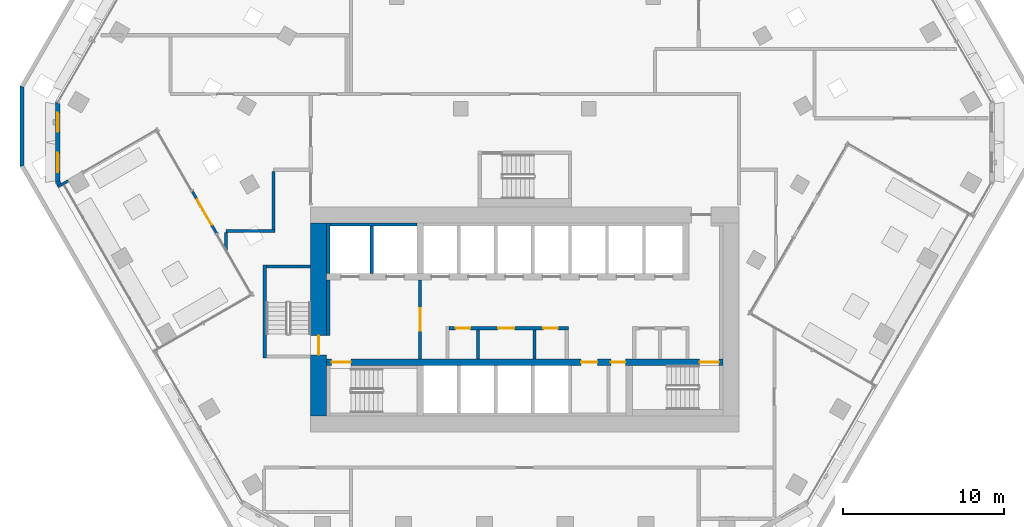
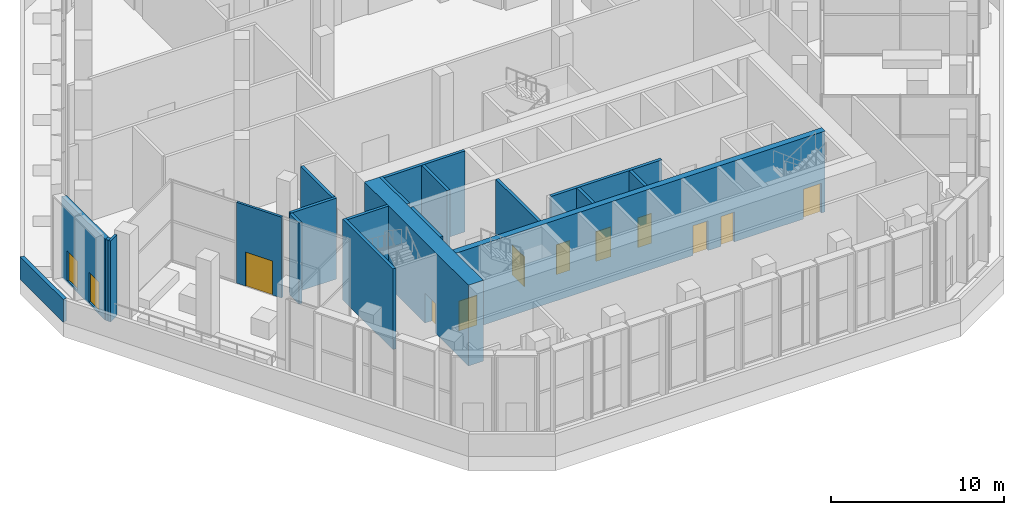
# One storey, part 9 of 23: 20 walls, 10 doors, 2 windows, 12 openings.
"""IFC4 building model written with IfcOpenShell, lengths in metres."""

from ifc_helpers import new_model, si_unit, direction, frame, frame_2d, origin, place, context, subcontext, project, spatial, polyline, rectangle, outline, extrude, material, layer, layer_set, type_object, element, fill, save


model = new_model("IFC4")

# Units and contexts
model_context = context("Model", 3, precision=1e-05, world=origin(), true_north=direction((0.0, 1.0)))
body_context = subcontext(model_context, "Body", "Model", "MODEL_VIEW")
ifc_project = project(units=[si_unit("LENGTHUNIT", "METRE"), si_unit("AREAUNIT", "SQUARE_METRE"), si_unit("VOLUMEUNIT", "CUBIC_METRE"), si_unit("PLANEANGLEUNIT", "RADIAN"), si_unit("MASSUNIT", "GRAM", prefix="KILO")], contexts=[model_context])

# Site, building, storey
site_placement = place(None, origin())
site = spatial("IfcSite", under=ifc_project, at=site_placement, CompositionType="ELEMENT")
building_placement = place(site_placement, origin())
building = spatial("IfcBuilding", under=site, at=building_placement, Name="Beryl Residences", CompositionType="ELEMENT")
storey_placement = place(building_placement, frame((0.0, 0.0, 66.0)))
storey = spatial("IfcBuildingStorey", under=building, at=storey_placement, Name="L20", CompositionType="ELEMENT", Elevation=66.0)

# Wall, openings, windows
ifc_material_1 = material(Name="Composite metal panel with mineral wool insulation")
ifc_layer_1 = layer(ifc_material_1, 0.300048828125)
ifc_layer_set_1 = layer_set([ifc_layer_1], Name="ES1 pale metal composite panel wall 300 mm")
wall_type_1 = type_object("IfcWallType", Name="ES1 pale metal composite panel wall 300 mm", PredefinedType="SOLIDWALL", material=ifc_layer_set_1)
wall_1_placement = place(storey_placement, frame((-29.007080078125, 1.5, 0.0), z_axis=(0.0, 0.0, 1.0), x_axis=(0.0, -1.0, 0.0)))
wall_1 = element("IfcWall", 1, at=wall_1_placement, inside=storey, type_object=wall_type_1, Name="ES1 external wall L20 NW-SW", PredefinedType="SOLIDWALL", context=body_context, shape_type="SweptSolid", body=[
    extrude(outline(polyline([(0.0, -0.14990234375), (5.0, -0.14990234375), (4.919677734375, 0.14990234375), (0.080322265625, 0.14990234375), (0.0, -0.14990234375)])), origin(), (0.0, 0.0, 1.0), 5.699951171875),
])
opening_1_placement = place(wall_1_placement, frame((0.64990234375, 0.0, 0.14990234375)))
opening_1 = element("IfcOpeningElement", 2, at=opening_1_placement, cuts=wall_1, Name="Opening W2", PredefinedType="OPENING", context=body_context, shape_type="SweptSolid", body=[
    extrude(rectangle(XDim=1.199951171875, YDim=2.10009765625, at=frame_2d((0.60009765625, 1.050048828125))), frame((0.0, 0.159912109375, 0.0), z_axis=(0.0, -1.0, 0.0), x_axis=(1.0, 0.0, 0.0)), (0.0, 0.0, 1.0), 0.320068359375),
])
opening_2_placement = place(wall_1_placement, frame((3.14990234375, 0.0, 0.14990234375)))
opening_2 = element("IfcOpeningElement", 3, at=opening_2_placement, cuts=wall_1, Name="Opening W2", PredefinedType="OPENING", context=body_context, shape_type="SweptSolid", body=[
    extrude(rectangle(XDim=1.199951171875, YDim=2.10009765625, at=frame_2d((0.60009765625, 1.050048828125))), frame((0.0, 0.159912109375, 0.0), z_axis=(0.0, -1.0, 0.0), x_axis=(1.0, 0.0, 0.0)), (0.0, 0.0, 1.0), 0.320068359375),
])
ifc_material_2 = material(Name="Aluminium and clear glass", Category="aluminium")
window_type = type_object("IfcWindowType", Name="W2 chamfer window 1200 x 2100 mm", PartitioningType="SINGLE_PANEL", PredefinedType="WINDOW", material=ifc_material_2)
window_1_placement = place(opening_1_placement, origin())
window_1 = element("IfcWindow", 4, at=window_1_placement, inside=storey, type_object=window_type, Name="W2 window L20 NW-SW 1", OverallHeight=2.10009765625, OverallWidth=1.199951171875, PartitioningType="SINGLE_PANEL", PredefinedType="WINDOW", context=body_context, shape_type="SweptSolid", body=[
    extrude(rectangle(XDim=1.199951171875, YDim=2.10009765625, at=frame_2d((0.60009765625, 1.050048828125))), frame((0.0, 0.030029296875, 0.0), z_axis=(0.0, -1.0, 0.0), x_axis=(1.0, 0.0, 0.0)), (0.0, 0.0, 1.0), 0.06005859375),
])
fill(opening_1, window_1)
window_2_placement = place(opening_2_placement, origin())
window_2 = element("IfcWindow", 5, at=window_2_placement, inside=storey, type_object=window_type, Name="W2 window L20 NW-SW 2", OverallHeight=2.10009765625, OverallWidth=1.199951171875, PartitioningType="SINGLE_PANEL", PredefinedType="WINDOW", context=body_context, shape_type="SweptSolid", body=[
    extrude(rectangle(XDim=1.199951171875, YDim=2.10009765625, at=frame_2d((0.60009765625, 1.050048828125))), frame((0.0, 0.030029296875, 0.0), z_axis=(0.0, -1.0, 0.0), x_axis=(1.0, 0.0, 0.0)), (0.0, 0.0, 1.0), 0.06005859375),
])
fill(opening_2, window_2)

# Wall
wall_2_placement = place(storey_placement, frame((-29.007080078125, -3.4599609375, 0.0), z_axis=(0.0, 0.0, 1.0), x_axis=(0.505106950785, -0.863056758428, 0.0)))
element("IfcWall", 6, at=wall_2_placement, inside=storey, type_object=wall_type_1, Name="ES1 external wall L20 SW pier", PredefinedType="SOLIDWALL", context=body_context, shape_type="SweptSolid", body=[
    extrude(rectangle(XDim=0.18408203125, YDim=0.300048828125, at=frame_2d((0.092041015625, 0.0))), origin(), (0.0, 0.0, 1.0), 5.699951171875),
])

# Wall, opening, door
ifc_material_3 = material(Name="Aluminium framed insulated wall", Category="aluminium")
ifc_layer_2 = layer(ifc_material_3, 0.14990234375)
ifc_layer_set_2 = layer_set([ifc_layer_2], Name="GW1 glazed door wall 150 mm")
wall_type_2 = type_object("IfcWallType", Name="GW1 glazed door wall 150 mm", PredefinedType="SOLIDWALL", material=ifc_layer_set_2)
wall_3_placement = place(storey_placement, frame((-20.64697265625, -4.0400390625, 0.0), z_axis=(0.0, 0.0, 1.0), x_axis=(0.50002537861, -0.866010750942, 0.0)))
wall_3 = element("IfcWall", 7, at=wall_3_placement, inside=storey, type_object=wall_type_2, Name="GW1 door wall L20 SW", PredefinedType="SOLIDWALL", context=body_context, shape_type="SweptSolid", body=[
    extrude(rectangle(XDim=2.999755859375, YDim=0.14990234375, at=frame_2d((1.5, 0.0))), origin(), (0.0, 0.0, 1.0), 5.699951171875),
])
opening_3_placement = place(wall_3_placement, frame((0.60009765625, 0.0, 0.0)))
opening_3 = element("IfcOpeningElement", 8, at=opening_3_placement, cuts=wall_3, Name="Opening SD3", PredefinedType="OPENING", context=body_context, shape_type="SweptSolid", body=[
    extrude(rectangle(XDim=1.800048828125, YDim=2.39990234375, at=frame_2d((0.89990234375, 1.199951171875))), frame((0.0, 0.0849609375, 0.0), z_axis=(0.0, -1.0, 0.0), x_axis=(1.0, 0.0, 0.0)), (0.0, 0.0, 1.0), 0.169921875),
])
ifc_material_4 = material(Name="Aluminium and clear glass", Category="aluminium")
door_type_1 = type_object("IfcDoorType", Name="SD3 sliding glass door 1800 x 2400 mm", OperationType="SLIDING_TO_LEFT", PredefinedType="DOOR", material=ifc_material_4)
door_1_placement = place(opening_3_placement, origin())
door_1 = element("IfcDoor", 9, at=door_1_placement, inside=storey, type_object=door_type_1, Name="SD3 garden door L20 SW", OperationType="SLIDING_TO_LEFT", OverallHeight=2.39990234375, OverallWidth=1.800048828125, PredefinedType="DOOR", context=body_context, shape_type="SweptSolid", body=[
    extrude(rectangle(XDim=1.800048828125, YDim=2.39990234375, at=frame_2d((0.89990234375, 1.199951171875))), frame((0.0, 0.02490234375, 0.0), z_axis=(0.0, -1.0, 0.0), x_axis=(1.0, 0.0, 0.0)), (0.0, 0.0, 1.0), 0.050048828125),
])
fill(opening_3, door_1)

# Walls
wall_4_placement = place(storey_placement, frame((-29.007080078125, -3.759033203125, 0.0), z_axis=(0.0, 0.0, 1.0), x_axis=(0.866218334262, 0.499665685623, 0.0)))
element("IfcWall", 10, at=wall_4_placement, inside=storey, type_object=wall_type_2, Name="GW1 garden pier wall L20", PredefinedType="SOLIDWALL", context=body_context, shape_type="SweptSolid", body=[
    extrude(rectangle(XDim=0.74462890625, YDim=0.14990234375, at=frame_2d((0.372314453125, 0.0))), origin(), (0.0, 0.0, 1.0), 5.699951171875),
])
ifc_material_5 = material(Name="Precast concrete C40/50", Category="concrete")
ifc_layer_3 = layer(ifc_material_5, 0.25)
ifc_layer_set_3 = layer_set([ifc_layer_3], Name="PA1 roof parapet 250 mm")
wall_type_3 = type_object("IfcWallType", Name="PA1 roof parapet 250 mm", PredefinedType="PARAPET", material=ifc_layer_set_3)
wall_5_placement = place(storey_placement, frame((-31.22509765625, -2.5, 0.0), z_axis=(0.0, 0.0, 1.0), x_axis=(0.0, 1.0, 0.0)))
element("IfcWall", 11, at=wall_5_placement, inside=storey, type_object=wall_type_3, Name="PA1 parapet L20 strip 9", PredefinedType="PARAPET", context=body_context, shape_type="SweptSolid", body=[
    extrude(outline(polyline([(0.06689453125, -0.125), (4.93310546875, -0.125), (5.0, 0.125), (0.0, 0.125), (0.06689453125, -0.125)])), origin(), (0.0, 0.0, 1.0), 1.60009765625),
])
ifc_material_6 = material(Name="Concrete masonry", Category="masonry")
ifc_layer_4 = layer(ifc_material_6, 0.199951171875)
ifc_layer_set_4 = layer_set([ifc_layer_4], Name="PT13 lobby wall 200 mm")
wall_type_4 = type_object("IfcWallType", Name="PT13 lobby wall 200 mm", PredefinedType="PARTITIONING", material=ifc_layer_set_4)
wall_6_placement = place(storey_placement, frame((-12.199951171875, -13.0, 0.0), z_axis=(0.0, 0.0, 1.0), x_axis=(0.0, 1.0, 0.0)))
element("IfcWall", 12, at=wall_6_placement, inside=storey, type_object=wall_type_4, Name="Lobby wall 05", PredefinedType="PARTITIONING", context=body_context, shape_type="SweptSolid", body=[
    extrude(rectangle(XDim=3.449951171875, YDim=0.199951171875, at=frame_2d((1.72509765625, 0.0))), origin(), (0.0, 0.0, 1.0), 5.699951171875),
])

# Wall, opening, door
wall_7_placement = place(storey_placement, frame((-6.5, -14.449951171875, 0.0), z_axis=(0.0, 0.0, 1.0), x_axis=(0.0, 1.0, 0.0)))
wall_7 = element("IfcWall", 13, at=wall_7_placement, inside=storey, type_object=wall_type_4, Name="Lobby wall 11", PredefinedType="PARTITIONING", context=body_context, shape_type="SweptSolid", body=[
    extrude(rectangle(XDim=4.89990234375, YDim=0.199951171875, at=frame_2d((2.449951171875, 0.0))), origin(), (0.0, 0.0, 1.0), 5.699951171875),
])
opening_4_placement = place(wall_7_placement, frame((3.14990234375, 0.0, 0.0), z_axis=(0.0, 0.0, 1.0), x_axis=(-1.0, 0.0, 0.0)))
opening_4 = element("IfcOpeningElement", 14, at=opening_4_placement, cuts=wall_7, Name="Opening FD-FFL", PredefinedType="OPENING", context=body_context, shape_type="SweptSolid", body=[
    extrude(rectangle(XDim=1.39990234375, YDim=2.10009765625, at=frame_2d((0.699951171875, 1.050048828125))), frame((0.0, 0.10986328125, 0.0), z_axis=(0.0, -1.0, 0.0), x_axis=(1.0, 0.0, 0.0)), (0.0, 0.0, 1.0), 0.219970703125),
])
ifc_material_7 = material(Name="Steel door leaf in steel frame", Category="steel")
door_type_2 = type_object("IfcDoorType", Name="D5 lobby door 1400 x 2100 mm", OperationType="DOUBLE_DOOR_SINGLE_SWING", PredefinedType="DOOR", material=ifc_material_7)
door_2_placement = place(opening_4_placement, origin())
door_2 = element("IfcDoor", 15, at=door_2_placement, inside=storey, type_object=door_type_2, Name="Door FD-FFL L20 001", OperationType="DOUBLE_DOOR_SINGLE_SWING", OverallHeight=2.10009765625, OverallWidth=1.39990234375, PredefinedType="DOOR", context=body_context, shape_type="SweptSolid", body=[
    extrude(rectangle(XDim=1.39990234375, YDim=2.10009765625, at=frame_2d((0.699951171875, 1.050048828125))), frame((0.0, 0.02490234375, 0.0), z_axis=(0.0, -1.0, 0.0), x_axis=(1.0, 0.0, 0.0)), (0.0, 0.0, 1.0), 0.050048828125),
])
fill(opening_4, door_2)

# Wall, openings, doors
wall_8_placement = place(storey_placement, frame((-4.699951171875, -12.550048828125, 0.0), z_axis=(0.0, 0.0, 1.0), x_axis=(1.0, 0.0, 0.0)))
wall_8 = element("IfcWall", 16, at=wall_8_placement, inside=storey, type_object=wall_type_4, Name="Lobby wall 15", PredefinedType="PARTITIONING", context=body_context, shape_type="SweptSolid", body=[
    extrude(rectangle(XDim=7.39990234375, YDim=0.199951171875, at=frame_2d((3.699951171875, 0.0))), origin(), (0.0, 0.0, 1.0), 5.699951171875),
])
opening_5_placement = place(wall_8_placement, frame((1.2998046875, 0.0, 0.0), z_axis=(0.0, 0.0, 1.0), x_axis=(-1.0, 0.0, 0.0)))
opening_5 = element("IfcOpeningElement", 17, at=opening_5_placement, cuts=wall_8, Name="Opening CD-D-A1-900", PredefinedType="OPENING", context=body_context, shape_type="SweptSolid", body=[
    extrude(rectangle(XDim=0.89990234375, YDim=2.10009765625, at=frame_2d((0.449951171875, 1.050048828125))), frame((0.0, 0.10986328125, 0.0), z_axis=(0.0, -1.0, 0.0), x_axis=(1.0, 0.0, 0.0)), (0.0, 0.0, 1.0), 0.219970703125),
])
opening_6_placement = place(wall_8_placement, frame((4.050048828125, 0.0, 0.0), z_axis=(0.0, 0.0, 1.0), x_axis=(-1.0, 0.0, 0.0)))
opening_6 = element("IfcOpeningElement", 18, at=opening_6_placement, cuts=wall_8, Name="Opening CD-D-A2", PredefinedType="OPENING", context=body_context, shape_type="SweptSolid", body=[
    extrude(rectangle(XDim=1.0, YDim=2.10009765625, at=frame_2d((0.5, 1.050048828125))), frame((0.0, 0.10986328125, 0.0), z_axis=(0.0, -1.0, 0.0), x_axis=(1.0, 0.0, 0.0)), (0.0, 0.0, 1.0), 0.219970703125),
])
opening_7_placement = place(wall_8_placement, frame((6.75, 0.0, 0.0), z_axis=(0.0, 0.0, 1.0), x_axis=(-1.0, 0.0, 0.0)))
opening_7 = element("IfcOpeningElement", 19, at=opening_7_placement, cuts=wall_8, Name="Opening CD-D-A3-900", PredefinedType="OPENING", context=body_context, shape_type="SweptSolid", body=[
    extrude(rectangle(XDim=0.89990234375, YDim=2.10009765625, at=frame_2d((0.449951171875, 1.050048828125))), frame((0.0, 0.10986328125, 0.0), z_axis=(0.0, -1.0, 0.0), x_axis=(1.0, 0.0, 0.0)), (0.0, 0.0, 1.0), 0.219970703125),
])
ifc_material_8 = material(Name="Steel door leaf in steel frame", Category="steel")
door_type_3 = type_object("IfcDoorType", Name="D18 service room door 1000 x 2100 mm", OperationType="SINGLE_SWING_LEFT", PredefinedType="DOOR", material=ifc_material_8)
door_3_placement = place(opening_6_placement, origin())
door_3 = element("IfcDoor", 20, at=door_3_placement, inside=storey, type_object=door_type_3, Name="Door CD-D-A2 L20 001", OperationType="SINGLE_SWING_LEFT", OverallHeight=2.10009765625, OverallWidth=1.0, PredefinedType="DOOR", context=body_context, shape_type="SweptSolid", body=[
    extrude(rectangle(XDim=1.0, YDim=2.10009765625, at=frame_2d((0.5, 1.050048828125))), frame((0.0, 0.02490234375, 0.0), z_axis=(0.0, -1.0, 0.0), x_axis=(1.0, 0.0, 0.0)), (0.0, 0.0, 1.0), 0.050048828125),
])
fill(opening_6, door_3)
ifc_material_9 = material(Name="Steel door leaf in steel frame", Category="steel")
door_type_4 = type_object("IfcDoorType", Name="D6 service room door 900 x 2100 mm", OperationType="SINGLE_SWING_LEFT", PredefinedType="DOOR", material=ifc_material_9)
door_4_placement = place(opening_5_placement, origin())
door_4 = element("IfcDoor", 21, at=door_4_placement, inside=storey, type_object=door_type_4, Name="Door CD-D-A1-900 L20 001", OperationType="SINGLE_SWING_RIGHT", OverallHeight=2.10009765625, OverallWidth=0.89990234375, PredefinedType="DOOR", context=body_context, shape_type="SweptSolid", body=[
    extrude(rectangle(XDim=0.89990234375, YDim=2.10009765625, at=frame_2d((0.449951171875, 1.050048828125))), frame((0.0, 0.02490234375, 0.0), z_axis=(0.0, -1.0, 0.0), x_axis=(1.0, 0.0, 0.0)), (0.0, 0.0, 1.0), 0.050048828125),
])
fill(opening_5, door_4)
door_5_placement = place(opening_7_placement, origin())
door_5 = element("IfcDoor", 22, at=door_5_placement, inside=storey, type_object=door_type_4, Name="Door CD-D-A3-900 L20 001", OperationType="SINGLE_SWING_RIGHT", OverallHeight=2.10009765625, OverallWidth=0.89990234375, PredefinedType="DOOR", context=body_context, shape_type="SweptSolid", body=[
    extrude(rectangle(XDim=0.89990234375, YDim=2.10009765625, at=frame_2d((0.449951171875, 1.050048828125))), frame((0.0, 0.02490234375, 0.0), z_axis=(0.0, -1.0, 0.0), x_axis=(1.0, 0.0, 0.0)), (0.0, 0.0, 1.0), 0.050048828125),
])
fill(opening_7, door_5)

# Walls
ifc_material_10 = material(Name="Double stud gypsum board wall")
ifc_layer_5 = layer(ifc_material_10, 0.199951171875)
ifc_layer_set_5 = layer_set([ifc_layer_5], Name="PT4 corridor wall 200 mm double stud")
wall_type_5 = type_object("IfcWallType", Name="PT4 corridor wall 200 mm double stud", PredefinedType="PARTITIONING", material=ifc_layer_set_5)
wall_9_placement = place(storey_placement, frame((-18.550048828125, -6.5, 0.0), z_axis=(0.0, 0.0, 1.0), x_axis=(1.0, 0.0, 0.0)))
element("IfcWall", 23, at=wall_9_placement, inside=storey, type_object=wall_type_5, Name="Wall PT4 L20 002", PredefinedType="PARTITIONING", context=body_context, shape_type="SweptSolid", body=[
    extrude(rectangle(XDim=3.050048828125, YDim=0.199951171875, at=frame_2d((1.52490234375, 0.0))), origin(), (0.0, 0.0, 1.0), 5.699951171875),
])
wall_10_placement = place(storey_placement, frame((-18.550048828125, -7.7109375, 0.0), z_axis=(0.0, 0.0, 1.0), x_axis=(0.0, 1.0, 0.0)))
element("IfcWall", 24, at=wall_10_placement, inside=storey, type_object=wall_type_5, Name="Wall PT4 L20 014", PredefinedType="PARTITIONING", context=body_context, shape_type="SweptSolid", body=[
    extrude(rectangle(XDim=1.11083984375, YDim=0.199951171875, at=frame_2d((0.555419921875, 0.0))), origin(), (0.0, 0.0, 1.0), 5.699951171875),
])
wall_11_placement = place(storey_placement, frame((-15.60009765625, -6.39990234375, 0.0), z_axis=(0.0, 0.0, 1.0), x_axis=(0.0, 1.0, 0.0)))
element("IfcWall", 25, at=wall_11_placement, inside=storey, type_object=wall_type_5, Name="Wall PT4 L20 015", PredefinedType="PARTITIONING", context=body_context, shape_type="SweptSolid", body=[
    extrude(rectangle(XDim=3.599853515625, YDim=0.199951171875, at=frame_2d((1.7998046875, 0.0))), origin(), (0.0, 0.0, 1.0), 5.699951171875),
])
ifc_material_11 = material(Name="Concrete C40/50", Category="concrete")
ifc_layer_6 = layer(ifc_material_11, 0.199951171875)
ifc_layer_set_6 = layer_set([ifc_layer_6], Name="PT5 stair enclosure wall 200 mm reinforced concrete C40/50")
wall_type_6 = type_object("IfcWallType", Name="PT5 stair enclosure wall 200 mm reinforced concrete C40/50", PredefinedType="SOLIDWALL", material=ifc_layer_set_6)
wall_12_placement = place(storey_placement, frame((-16.14990234375, -14.39990234375, 0.0), z_axis=(0.0, 0.0, 1.0), x_axis=(0.0, 1.0, 0.0)))
element("IfcWall", 26, at=wall_12_placement, inside=storey, type_object=wall_type_6, Name="Stair wall 01", PredefinedType="SOLIDWALL", context=body_context, shape_type="SweptSolid", body=[
    extrude(rectangle(XDim=5.7998046875, YDim=0.199951171875, at=frame_2d((2.89990234375, 0.0))), origin(), (0.0, 0.0, 1.0), 5.699951171875),
])
wall_13_placement = place(storey_placement, frame((-16.050048828125, -8.699951171875, 0.0), z_axis=(0.0, 0.0, 1.0), x_axis=(1.0, 0.0, 0.0)))
element("IfcWall", 27, at=wall_13_placement, inside=storey, type_object=wall_type_6, Name="Stair wall 03", PredefinedType="SOLIDWALL", context=body_context, shape_type="SweptSolid", body=[
    extrude(rectangle(XDim=2.75, YDim=0.199951171875, at=frame_2d((1.375, 0.0))), origin(), (0.0, 0.0, 1.0), 5.699951171875),
])
ifc_material_12 = material(Name="Concrete C40/50", Category="concrete")
ifc_layer_7 = layer(ifc_material_12, 0.199951171875)
ifc_layer_set_7 = layer_set([ifc_layer_7], Name="PT6 lift shaft wall 200 mm reinforced concrete C40/50")
wall_type_7 = type_object("IfcWallType", Name="PT6 lift shaft wall 200 mm reinforced concrete C40/50", PredefinedType="SOLIDWALL", material=ifc_layer_set_7)
wall_14_placement = place(storey_placement, frame((-12.199951171875, -9.14990234375, 0.0), z_axis=(0.0, 0.0, 1.0), x_axis=(0.0, 1.0, 0.0)))
element("IfcWall", 28, at=wall_14_placement, inside=storey, type_object=wall_type_7, Name="Lift shaft wall 06", PredefinedType="SOLIDWALL", context=body_context, shape_type="SweptSolid", body=[
    extrude(rectangle(XDim=3.14990234375, YDim=0.199951171875, at=frame_2d((1.574951171875, 0.0))), origin(), (0.0, 0.0, 1.0), 5.699951171875),
])
wall_15_placement = place(storey_placement, frame((-12.10009765625, -6.10009765625, 0.0), z_axis=(0.0, 0.0, 1.0), x_axis=(1.0, 0.0, 0.0)))
element("IfcWall", 29, at=wall_15_placement, inside=storey, type_object=wall_type_7, Name="Lift shaft wall 08", PredefinedType="SOLIDWALL", context=body_context, shape_type="SweptSolid", body=[
    extrude(rectangle(XDim=5.400146484375, YDim=0.199951171875, at=frame_2d((2.7001953125, 0.0))), origin(), (0.0, 0.0, 1.0), 5.699951171875),
])
wall_16_placement = place(storey_placement, frame((-9.5, -9.14990234375, 0.0), z_axis=(0.0, 0.0, 1.0), x_axis=(0.0, 1.0, 0.0)))
element("IfcWall", 30, at=wall_16_placement, inside=storey, type_object=wall_type_7, Name="Lift shaft wall 10", PredefinedType="SOLIDWALL", context=body_context, shape_type="SweptSolid", body=[
    extrude(rectangle(XDim=2.949951171875, YDim=0.199951171875, at=frame_2d((1.47509765625, 0.0))), origin(), (0.0, 0.0, 1.0), 5.699951171875),
])
ifc_material_13 = material(Name="Concrete masonry", Category="masonry")
ifc_layer_8 = layer(ifc_material_13, 0.199951171875)
ifc_layer_set_8 = layer_set([ifc_layer_8], Name="PT8-200 service room wall 200 mm")
wall_type_8 = type_object("IfcWallType", Name="PT8-200 service room wall 200 mm", PredefinedType="PARTITIONING", material=ifc_layer_set_8)
for number, where, z_axis, x_axis, name in (
    (31, (-2.89990234375, -14.449951171875, 0.0), (0.0, 0.0, 1.0), (0.0, 1.0, 0.0), "Core room wall 18"),
    (32, (0.60009765625, -14.449951171875, 0.0), (0.0, 0.0, 1.0), (0.0, 1.0, 0.0), "Core room wall 23"),
):
    element("IfcWall", number, at=place(storey_placement, frame(where, z_axis=z_axis, x_axis=x_axis)), inside=storey, type_object=wall_type_8, Name=name, PredefinedType="PARTITIONING", context=body_context, shape_type="SweptSolid", body=[
        extrude(rectangle(XDim=1.800048828125, YDim=0.199951171875, at=frame_2d((0.89990234375, 0.0))), origin(), (0.0, 0.0, 1.0), 5.699951171875),
    ])

# Wall, opening, door
ifc_material_14 = material(Name="Concrete C70/85", Category="concrete")
ifc_layer_9 = layer(ifc_material_14, 1.0)
ifc_layer_set_9 = layer_set([ifc_layer_9], Name="SW2 core outer wall 1000 mm C70/85")
wall_type_9 = type_object("IfcWallType", Name="SW2 core outer wall 1000 mm C70/85", PredefinedType="SHEAR", material=ifc_layer_set_9)
wall_17_placement = place(storey_placement, frame((-12.800048828125, -18.0, 0.0), z_axis=(0.0, 0.0, 1.0), x_axis=(0.0, 1.0, 0.0)))
wall_17 = element("IfcWall", 33, at=wall_17_placement, inside=storey, type_object=wall_type_9, Name="Core wall W L20", PredefinedType="SHEAR", context=body_context, shape_type="SweptSolid", body=[
    extrude(rectangle(XDim=12.0, YDim=1.0, at=frame_2d((6.0, 0.0))), origin(), (0.0, 0.0, 1.0), 5.699951171875),
])
opening_8_placement = place(wall_17_placement, frame((3.800048828125, 0.0, 0.0)))
opening_8 = element("IfcOpeningElement", 34, at=opening_8_placement, cuts=wall_17, Name="Opening SD-2", PredefinedType="OPENING", context=body_context, shape_type="SweptSolid", body=[
    extrude(rectangle(XDim=1.199951171875, YDim=2.10009765625, at=frame_2d((0.60009765625, 1.050048828125))), frame((0.0, 0.510009765625, 0.0), z_axis=(0.0, -1.0, 0.0), x_axis=(1.0, 0.0, 0.0)), (0.0, 0.0, 1.0), 1.02001953125),
])
ifc_material_15 = material(Name="Steel door leaf in steel frame", Category="steel")
door_type_5 = type_object("IfcDoorType", Name="D4 stair door 1200 x 2100 mm", OperationType="SINGLE_SWING_LEFT", PredefinedType="DOOR", material=ifc_material_15)
door_6_placement = place(opening_8_placement, origin())
door_6 = element("IfcDoor", 35, at=door_6_placement, inside=storey, type_object=door_type_5, Name="Door SD-2 L20 001", OperationType="SINGLE_SWING_RIGHT", OverallHeight=2.10009765625, OverallWidth=1.199951171875, PredefinedType="DOOR", context=body_context, shape_type="SweptSolid", body=[
    extrude(rectangle(XDim=1.199951171875, YDim=2.10009765625, at=frame_2d((0.60009765625, 1.050048828125))), frame((0.0, 0.02490234375, 0.0), z_axis=(0.0, -1.0, 0.0), x_axis=(1.0, 0.0, 0.0)), (0.0, 0.0, 1.0), 0.050048828125),
])
fill(opening_8, door_6)

# Wall, openings, doors
ifc_material_16 = material(Name="Concrete C70/85", Category="concrete")
ifc_layer_10 = layer(ifc_material_16, 0.39990234375)
ifc_layer_set_10 = layer_set([ifc_layer_10], Name="SW7 core internal wall 400 mm C70/85")
wall_type_10 = type_object("IfcWallType", Name="SW7 core internal wall 400 mm C70/85", PredefinedType="SHEAR", material=ifc_layer_set_10)
wall_18_placement = place(storey_placement, frame((-12.300048828125, -14.64990234375, 0.0), z_axis=(0.0, 0.0, 1.0), x_axis=(1.0, 0.0, 0.0)))
wall_18 = element("IfcWall", 36, at=wall_18_placement, inside=storey, type_object=wall_type_10, Name="Core wall SP1 L20", PredefinedType="SHEAR", context=body_context, shape_type="SweptSolid", body=[
    extrude(rectangle(XDim=24.60009765625, YDim=0.39990234375, at=frame_2d((12.300048828125, 0.0))), origin(), (0.0, 0.0, 1.0), 5.699951171875),
])
opening_9_placement = place(wall_18_placement, frame((1.5, 0.0, 0.0), z_axis=(0.0, 0.0, 1.0), x_axis=(-1.0, 0.0, 0.0)))
opening_9 = element("IfcOpeningElement", 37, at=opening_9_placement, cuts=wall_18, Name="Opening SD-1", PredefinedType="OPENING", context=body_context, shape_type="SweptSolid", body=[
    extrude(rectangle(XDim=1.199951171875, YDim=2.10009765625, at=frame_2d((0.60009765625, 1.050048828125))), frame((0.0, 0.2099609375, 0.0), z_axis=(0.0, -1.0, 0.0), x_axis=(1.0, 0.0, 0.0)), (0.0, 0.0, 1.0), 0.419921875),
])
opening_10_placement = place(wall_18_placement, frame((24.349853515625, 0.0, 0.0), z_axis=(0.0, 0.0, 1.0), x_axis=(-1.0, 0.0, 0.0)))
opening_10 = element("IfcOpeningElement", 38, at=opening_10_placement, cuts=wall_18, Name="Opening SD-3", PredefinedType="OPENING", context=body_context, shape_type="SweptSolid", body=[
    extrude(rectangle(XDim=1.199951171875, YDim=2.10009765625, at=frame_2d((0.60009765625, 1.050048828125))), frame((0.0, 0.2099609375, 0.0), z_axis=(0.0, -1.0, 0.0), x_axis=(1.0, 0.0, 0.0)), (0.0, 0.0, 1.0), 0.419921875),
])
opening_11_placement = place(wall_18_placement, frame((16.800048828125, 0.0, 0.0), z_axis=(0.0, 0.0, 1.0), x_axis=(-1.0, 0.0, 0.0)))
opening_11 = element("IfcOpeningElement", 39, at=opening_11_placement, cuts=wall_18, Name="Opening CD-D-S1", PredefinedType="OPENING", context=body_context, shape_type="SweptSolid", body=[
    extrude(rectangle(XDim=1.0, YDim=2.10009765625, at=frame_2d((0.5, 1.050048828125))), frame((0.0, 0.2099609375, 0.0), z_axis=(0.0, -1.0, 0.0), x_axis=(1.0, 0.0, 0.0)), (0.0, 0.0, 1.0), 0.419921875),
])
opening_12_placement = place(wall_18_placement, frame((18.5498046875, 0.0, 0.0), z_axis=(0.0, 0.0, 1.0), x_axis=(-1.0, 0.0, 0.0)))
opening_12 = element("IfcOpeningElement", 40, at=opening_12_placement, cuts=wall_18, Name="Opening RD-D-S2", PredefinedType="OPENING", context=body_context, shape_type="SweptSolid", body=[
    extrude(rectangle(XDim=0.89990234375, YDim=2.10009765625, at=frame_2d((0.449951171875, 1.050048828125))), frame((0.0, 0.2099609375, 0.0), z_axis=(0.0, -1.0, 0.0), x_axis=(1.0, 0.0, 0.0)), (0.0, 0.0, 1.0), 0.419921875),
])
door_7_placement = place(opening_11_placement, origin())
door_7 = element("IfcDoor", 41, at=door_7_placement, inside=storey, type_object=door_type_3, Name="Door CD-D-S1 L20 001", OperationType="SINGLE_SWING_RIGHT", OverallHeight=2.10009765625, OverallWidth=1.0, PredefinedType="DOOR", context=body_context, shape_type="SweptSolid", body=[
    extrude(rectangle(XDim=1.0, YDim=2.10009765625, at=frame_2d((0.5, 1.050048828125))), frame((0.0, 0.02490234375, 0.0), z_axis=(0.0, -1.0, 0.0), x_axis=(1.0, 0.0, 0.0)), (0.0, 0.0, 1.0), 0.050048828125),
])
fill(opening_11, door_7)
ifc_material_17 = material(Name="Steel door leaf in steel frame", Category="steel")
door_type_6 = type_object("IfcDoorType", Name="D23 riser door 900 x 2100 mm", OperationType="SINGLE_SWING_LEFT", PredefinedType="DOOR", material=ifc_material_17)
door_8_placement = place(opening_12_placement, origin())
door_8 = element("IfcDoor", 42, at=door_8_placement, inside=storey, type_object=door_type_6, Name="Door RD-D-S2 L20 001", OperationType="SINGLE_SWING_LEFT", OverallHeight=2.10009765625, OverallWidth=0.89990234375, PredefinedType="DOOR", context=body_context, shape_type="SweptSolid", body=[
    extrude(rectangle(XDim=0.89990234375, YDim=2.10009765625, at=frame_2d((0.449951171875, 1.050048828125))), frame((0.0, 0.02490234375, 0.0), z_axis=(0.0, -1.0, 0.0), x_axis=(1.0, 0.0, 0.0)), (0.0, 0.0, 1.0), 0.050048828125),
])
fill(opening_12, door_8)
door_9_placement = place(opening_9_placement, origin())
door_9 = element("IfcDoor", 43, at=door_9_placement, inside=storey, type_object=door_type_5, Name="Door SD-1 L20 001", OperationType="SINGLE_SWING_RIGHT", OverallHeight=2.10009765625, OverallWidth=1.199951171875, PredefinedType="DOOR", context=body_context, shape_type="SweptSolid", body=[
    extrude(rectangle(XDim=1.199951171875, YDim=2.10009765625, at=frame_2d((0.60009765625, 1.050048828125))), frame((0.0, 0.02490234375, 0.0), z_axis=(0.0, -1.0, 0.0), x_axis=(1.0, 0.0, 0.0)), (0.0, 0.0, 1.0), 0.050048828125),
])
fill(opening_9, door_9)
door_10_placement = place(opening_10_placement, origin())
door_10 = element("IfcDoor", 44, at=door_10_placement, inside=storey, type_object=door_type_5, Name="Door SD-3 L20 001", OperationType="SINGLE_SWING_RIGHT", OverallHeight=2.10009765625, OverallWidth=1.199951171875, PredefinedType="DOOR", context=body_context, shape_type="SweptSolid", body=[
    extrude(rectangle(XDim=1.199951171875, YDim=2.10009765625, at=frame_2d((0.60009765625, 1.050048828125))), frame((0.0, 0.02490234375, 0.0), z_axis=(0.0, -1.0, 0.0), x_axis=(1.0, 0.0, 0.0)), (0.0, 0.0, 1.0), 0.050048828125),
])
fill(opening_10, door_10)

save(model, "model.ifc")
